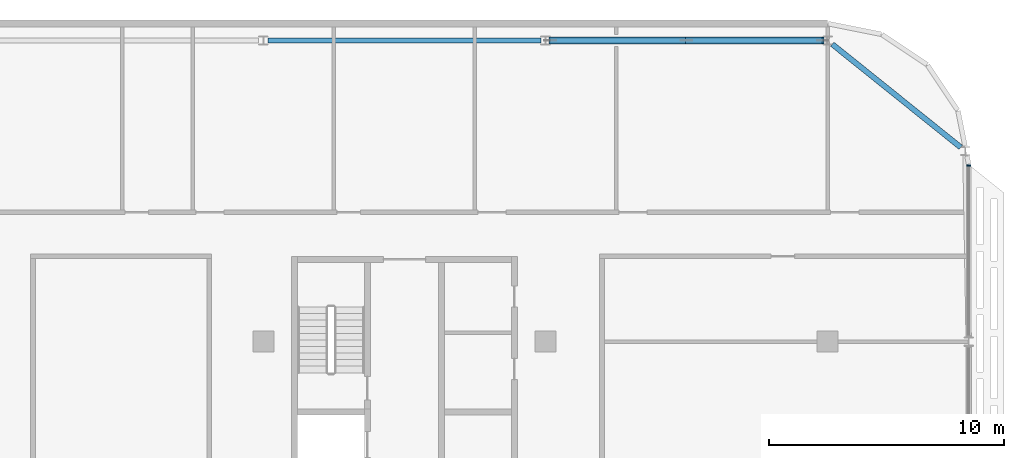
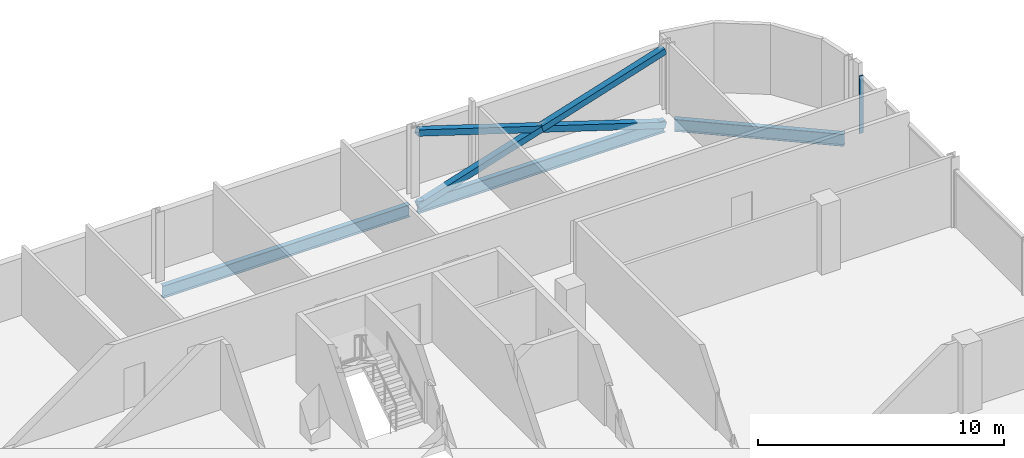
# One storey, part 11 of 29: 4 members, 3 beams, 1 element without a shape of its own.
"""IFC4 building model written with IfcOpenShell, lengths in metres."""

from ifc_helpers import new_model, si_unit, direction, frame, origin, origin_2d, place, context, subcontext, project, spatial, rectangle, hollow_rectangle, i_section, extrude, material, material_profile, profile_set, type_object, element, aggregate, save


model = new_model("IFC4")

# Units and contexts
model_context = context("Model", 3, precision=1e-05, world=origin(), true_north=direction((0.0, 1.0)))
body_context = subcontext(model_context, "Body", "Model", "MODEL_VIEW")
ifc_project = project(units=[si_unit("LENGTHUNIT", "METRE"), si_unit("AREAUNIT", "SQUARE_METRE"), si_unit("VOLUMEUNIT", "CUBIC_METRE"), si_unit("PLANEANGLEUNIT", "RADIAN"), si_unit("MASSUNIT", "GRAM", prefix="KILO")], contexts=[model_context])

# Site, building, storey
site_placement = place(None, origin())
site = spatial("IfcSite", under=ifc_project, at=site_placement, CompositionType="ELEMENT")
building_placement = place(site_placement, origin())
building = spatial("IfcBuilding", under=site, at=building_placement, Name="Mahtab Terrace Research Tower", CompositionType="ELEMENT")
storey_placement = place(building_placement, frame((0.0, 0.0, 274.699951171875)))
storey = spatial("IfcBuildingStorey", under=building, at=storey_placement, Name="L67", CompositionType="ELEMENT", Elevation=274.699951171875)

# Members
ifc_material_1 = material(Name="Steel ASTM A500 Gr C", Category="steel")
ifc_material_profile_1 = material_profile(ifc_material_1, hollow_rectangle(XDim=0.3046875, YDim=0.3046875, WallThickness=0.015869140625, at=origin_2d()), Name="HSS12X12X5/8")
ifc_profile_set_1 = profile_set([ifc_material_profile_1], Name="Steel ASTM A500 Gr C")
member_type_1 = type_object("IfcMemberType", Name="HSS 12x12x5/8 brace XB121258", PredefinedType="BRACE", material=ifc_profile_set_1)
member_1_placement = place(storey_placement, frame((41.80322265625, 24.306884765625, -0.5810546875), z_axis=(-0.953344149173, 0.0, 0.301885629399), x_axis=(0.0, -1.0, 0.0)))
element("IfcMember", 1, at=member_1_placement, inside=storey, type_object=member_type_1, Name="Exoskeleton brace L67 02 a", PredefinedType="BRACE", context=body_context, shape_type="SweptSolid", body=[
    extrude(hollow_rectangle(XDim=0.3046875, YDim=0.3046875, WallThickness=0.015869140625, at=origin_2d()), origin(), (0.0, 0.0, 1.0), 12.174560546875),
])
for number, where, z_axis, x_axis, name in (
    (2, (30.19677734375, 24.306884765625, -0.5810546875), (0.953344149173, 0.0, 0.301885629399), (0.0, 1.0, 0.0), "Exoskeleton brace L67 02 b1"),
    (3, (36.0, 24.306884765625, 1.256591796875), (0.953344149173, 0.0, 0.301885629399), (0.0, 1.0, 0.0), "Exoskeleton brace L67 02 b2"),
):
    element("IfcMember", number, at=place(storey_placement, frame(where, z_axis=z_axis, x_axis=x_axis)), inside=storey, type_object=member_type_1, Name=name, PredefinedType="BRACE", context=body_context, shape_type="SweptSolid", body=[
        extrude(hollow_rectangle(XDim=0.3046875, YDim=0.3046875, WallThickness=0.015869140625, at=origin_2d()), origin(), (0.0, 0.0, 1.0), 6.087158203125),
    ])

# Curtain wall, member
ifc_material_2 = material(Name="Office ribbon curtain wall")
curtain_wall_type = type_object("IfcCurtainWallType", Name="Office ribbon curtain wall", PredefinedType="NOTDEFINED", material=ifc_material_2)
curtain_wall_placement = place(storey_placement, origin())
curtain_wall = element("IfcCurtainWall", 4, at=curtain_wall_placement, inside=storey, type_object=curtain_wall_type, Name="EN.L67.18.24", PredefinedType="NOTDEFINED")
ifc_material_3 = material(Name="Natural anodised aluminium", Category="aluminium")
ifc_material_profile_2 = material_profile(ifc_material_3, rectangle(XDim=0.179931640625, YDim=0.06005859375, at=origin_2d()), Name="MULLION 60x180")
ifc_profile_set_2 = profile_set([ifc_material_profile_2], Name="Natural anodised aluminium")
member_type_2 = type_object("IfcMemberType", Name="Office ribbon curtain wall mullion", PredefinedType="MULLION", material=ifc_profile_set_2)
member_2_placement = place(storey_placement, frame((48.0, 18.9990234375, 0.0), z_axis=(0.0, 0.0, 1.0), x_axis=(-1.0, 0.0, 0.0)))
member_2 = element("IfcMember", 5, at=member_2_placement, type_object=member_type_2, Name="CWO-8 mullion 2", PredefinedType="MULLION", context=body_context, shape_type="SweptSolid", body=[
    extrude(rectangle(XDim=0.179931640625, YDim=0.06005859375, at=origin_2d()), origin(), (0.0, 0.0, 1.0), 2.85302734375),
])
aggregate(curtain_wall, [member_2])

# Beams
ifc_material_4 = material(Name="Steel ASTM A992 Gr 50", Category="steel")
ifc_material_profile_3 = material_profile(ifc_material_4, i_section(OverallWidth=0.228271484375, OverallDepth=0.607177734375, WebThickness=0.01123046875, FlangeThickness=0.017333984375, at=origin_2d()), Name="W24X76")
ifc_profile_set_3 = profile_set([ifc_material_profile_3], Name="Steel ASTM A992 Gr 50")
beam_type = type_object("IfcBeamType", Name="W24x76 beam BS2476", PredefinedType="BEAM", material=ifc_profile_set_3)
beam_placement = place(storey_placement, frame((47.66015625, 19.762939453125, -0.6435546875), z_axis=(-0.77980357172, 0.626024272319, 0.0), x_axis=(-0.626024272319, -0.77980357172, 0.0)))
element("IfcBeam", 6, at=beam_placement, inside=storey, type_object=beam_type, Name="Spandrel beam L67 01", PredefinedType="BEAM", context=body_context, shape_type="SweptSolid", body=[
    extrude(i_section(OverallWidth=0.228271484375, OverallDepth=0.607177734375, WebThickness=0.01123046875, FlangeThickness=0.017333984375, at=origin_2d()), origin(), (0.0, 0.0, 1.0), 7.006103515625),
])
for number, where, z_axis, x_axis, name in (
    (7, (41.80322265625, 24.306884765625, -0.6435546875), (-1.0, 0.0, 0.0), (0.0, -1.0, 0.0), "Spandrel beam L67 02"),
    (8, (29.80322265625, 24.306884765625, -0.6435546875), (-1.0, 0.0, 0.0), (0.0, -1.0, 0.0), "Spandrel beam L67 03"),
):
    element("IfcBeam", number, at=place(storey_placement, frame(where, z_axis=z_axis, x_axis=x_axis)), inside=storey, type_object=beam_type, Name=name, PredefinedType="BEAM", context=body_context, shape_type="SweptSolid", body=[
        extrude(i_section(OverallWidth=0.228271484375, OverallDepth=0.607177734375, WebThickness=0.01123046875, FlangeThickness=0.017333984375, at=origin_2d()), origin(), (0.0, 0.0, 1.0), 11.6064453125),
    ])

save(model, "model.ifc")
